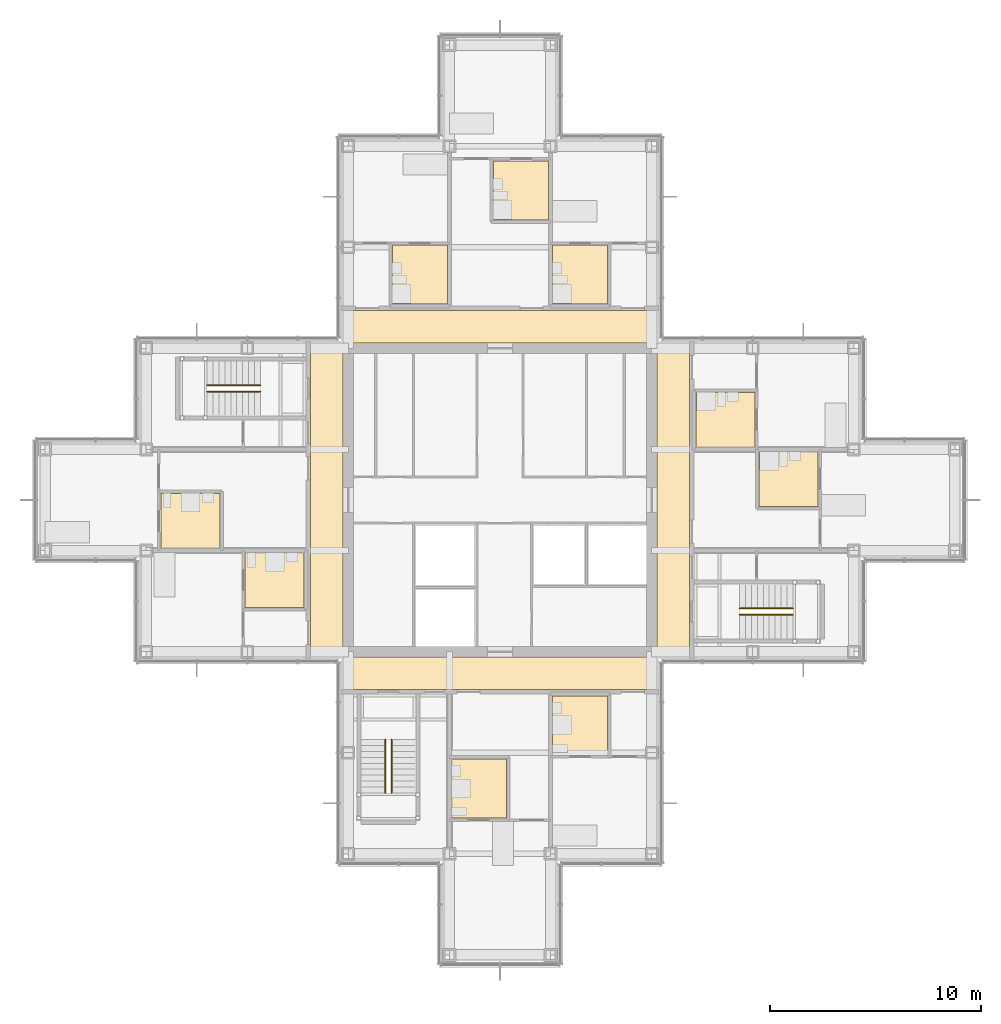
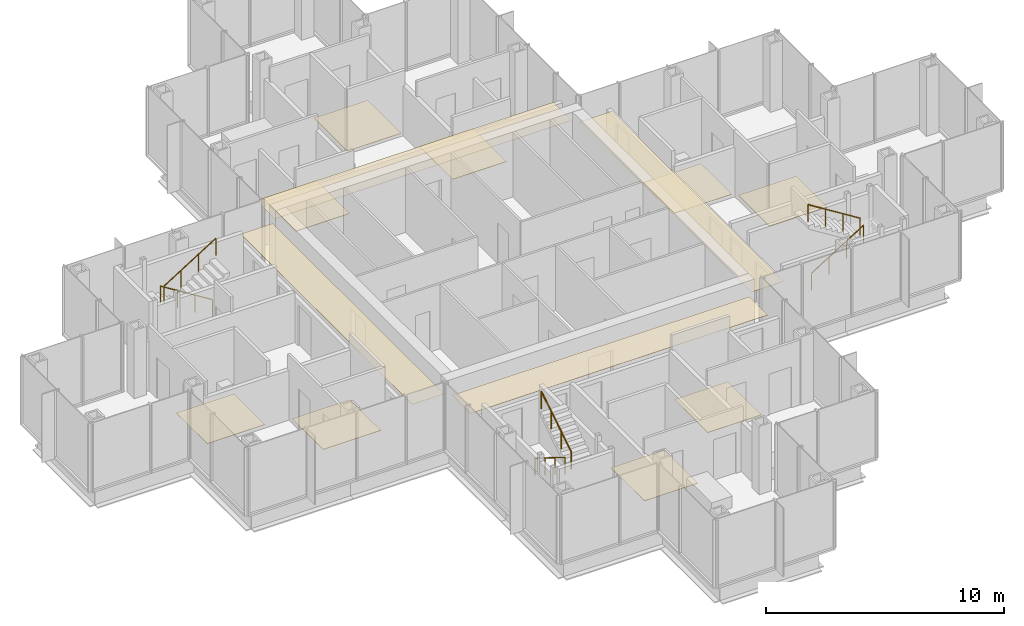
# One storey, part 15 of 17: 13 coverings, 6 railings.
"""IFC4 building model written with IfcOpenShell, lengths in metres."""

import ifcopenshell
import ifcopenshell.guid

model = None  # the IFC model being written
_history = None  # IfcOwnerHistory: only IFC2X3 demands one
_inside = {}  # id of a spatial element -> (the spatial element, [elements in it])
_under = {}  # id of a project, library or spatial element -> (it, [spatial elements below it])
_declared = {}  # id of a project -> (the project, [libraries it declares])
_typed = {}  # id of a type object -> (the type object, [elements of that type])
_made_of = {}  # id of a material, layer set ... -> (it, [elements and type objects made of it])


def new_model(schema):
    """Start an empty IFC model of exactly this schema.

    Asked for "IFC4X3", IfcOpenShell would pick the latest addendum, in which some entities
    have other attributes; the version numbers below select the first issue.
    IFC2X3 requires an IfcOwnerHistory on every rooted entity: one is made here for all.
    """
    global model, _history
    if schema == "IFC4X3":
        model = ifcopenshell.file(schema_version=(4, 3, 0, 0))
    else:
        model = ifcopenshell.file(schema=schema)
    _inside.clear()
    _under.clear()
    _declared.clear()
    _typed.clear()
    _made_of.clear()
    _history = None
    if model.schema == "IFC2X3":
        org = make("IfcOrganization", Name="unknown")
        user = make(
            "IfcPersonAndOrganization",
            ThePerson=make("IfcPerson", FamilyName="unknown"),
            TheOrganization=org,
        )
        app = make(
            "IfcApplication",
            ApplicationDeveloper=org,
            Version="unknown",
            ApplicationFullName="unknown",
            ApplicationIdentifier="unknown",
        )
        _history = make(
            "IfcOwnerHistory",
            OwningUser=user,
            OwningApplication=app,
            ChangeAction="ADDED",
            CreationDate=0,
        )
    return model


def make(cls, **values):
    """One entity of the class cls with the attributes given. An attribute that is None is left unset."""
    return model.create_entity(
        cls, **{name: value for name, value in values.items() if value is not None}
    )


def rooted(cls, **values):
    """An entity with a GlobalId (a new one), such as an element, a storey or a relation."""
    return make(cls, GlobalId=ifcopenshell.guid.new(), OwnerHistory=_history, **values)


def si_unit(unit_type, name, prefix=None):
    """IfcSIUnit, for example si_unit("LENGTHUNIT", "METRE", prefix="MILLI")."""
    return make("IfcSIUnit", UnitType=unit_type, Prefix=prefix, Name=name)


def assignment(units):
    """IfcUnitAssignment: the units of a project."""
    return None if units is None else make("IfcUnitAssignment", Units=units)


def point(xyz):
    """IfcCartesianPoint."""
    return None if xyz is None else make("IfcCartesianPoint", Coordinates=xyz)


def direction(xyz):
    """IfcDirection."""
    return None if xyz is None else make("IfcDirection", DirectionRatios=xyz)


def frame(location, z_axis=None, x_axis=None):
    """IfcAxis2Placement3D, a coordinate frame: its origin and axes. An axis left out is left unset."""
    return make(
        "IfcAxis2Placement3D",
        Location=point(location),
        Axis=direction(z_axis),
        RefDirection=direction(x_axis),
    )


def frame_2d(location, x_axis=None):
    """IfcAxis2Placement2D, a coordinate frame in the plane: its origin and x axis."""
    return make(
        "IfcAxis2Placement2D", Location=point(location), RefDirection=direction(x_axis)
    )


def origin():
    """The frame at (0, 0, 0) with its axes left unset."""
    return frame((0.0, 0.0, 0.0))


def origin_2d():
    """The frame at (0, 0) in the plane with its x axis left unset."""
    return frame_2d((0.0, 0.0))


def place(relative_to, where):
    """IfcLocalPlacement: puts the frame where relative to a parent placement (None: the world)."""
    return make(
        "IfcLocalPlacement", PlacementRelTo=relative_to, RelativePlacement=where
    )


def context(
    kind, dimensions, precision=None, world=None, true_north=None, identifier=None
):
    """IfcGeometricRepresentationContext, for example the 3D "Model" context."""
    return make(
        "IfcGeometricRepresentationContext",
        ContextIdentifier=identifier,
        ContextType=kind,
        CoordinateSpaceDimension=dimensions,
        Precision=precision,
        WorldCoordinateSystem=world,
        TrueNorth=true_north,
    )


def subcontext(parent, identifier, kind, view, scale=None):
    """IfcGeometricRepresentationSubContext, for example "Body" below "Model"."""
    return make(
        "IfcGeometricRepresentationSubContext",
        ContextIdentifier=identifier,
        ContextType=kind,
        ParentContext=parent,
        TargetScale=scale,
        TargetView=view,
    )


def project(units=None, contexts=None):
    """IfcProject with its units and contexts."""
    return rooted(
        "IfcProject",
        Name="project",
        RepresentationContexts=contexts,
        UnitsInContext=assignment(units),
    )


def spatial(cls, under=None, at=None, **own):
    """A site, building, storey or space (cls), placed at a placement, below another one or the project."""
    s = rooted(cls, ObjectPlacement=at, **own)
    if under is not None:
        _under.setdefault(under.id(), (under, []))[1].append(s)
    return s


def polyline(points):
    """IfcPolyline through the points."""
    return make("IfcPolyline", Points=[point(p) for p in points])


def profile(cls, at=None, kind="AREA", **sizes):
    """A parametric profile (cls). Its sizes go by their IFC names, for example OverallWidth=200.0."""
    return make(cls, ProfileType=kind, Position=at, **sizes)


def circle(**sizes):
    """IfcCircleProfileDef."""
    return profile("IfcCircleProfileDef", **sizes)


def outline(outer, holes=None, kind="AREA"):
    """IfcArbitraryClosedProfileDef: a profile drawn as a closed curve; with holes, ...WithVoids."""
    if holes is None:
        return make("IfcArbitraryClosedProfileDef", ProfileType=kind, OuterCurve=outer)
    return make(
        "IfcArbitraryProfileDefWithVoids",
        ProfileType=kind,
        OuterCurve=outer,
        InnerCurves=holes,
    )


def extrude(swept, where, along, depth):
    """IfcExtrudedAreaSolid: the profile swept, set in the frame where, extruded along a direction by depth."""
    return make(
        "IfcExtrudedAreaSolid",
        SweptArea=swept,
        Position=where,
        ExtrudedDirection=direction(along),
        Depth=depth,
    )


def shape(context_of_items, identifier, shape_type, items):
    """IfcShapeRepresentation: the items that make up one representation, for example the "Body"."""
    return make(
        "IfcShapeRepresentation",
        ContextOfItems=context_of_items,
        RepresentationIdentifier=identifier,
        RepresentationType=shape_type,
        Items=items,
    )


def material(Name=None, Category=None):
    """IfcMaterial."""
    return make("IfcMaterial", Name=Name, Category=Category)


def layer(
    of_material, thickness, ventilated=None, Name=None, Category=None, Priority=None
):
    """IfcMaterialLayer: one layer of a wall or slab, of a material (None: an air gap)."""
    return make(
        "IfcMaterialLayer",
        Material=of_material,
        LayerThickness=thickness,
        IsVentilated=ventilated,
        Name=Name,
        Category=Category,
        Priority=Priority,
    )


def layer_set(layers, Name=None):
    """IfcMaterialLayerSet."""
    return make("IfcMaterialLayerSet", MaterialLayers=layers, LayerSetName=Name)


def made_of(thing, what):
    """Note that an element or type object is made of a material, layer set ...; save() writes the relation."""
    if what is not None:
        _made_of.setdefault(what.id(), (what, []))[1].append(thing)
    return thing


def type_object(cls, material=None, **own):
    """A type object (cls), such as IfcWallType, which elements share."""
    return made_of(rooted(cls, **own), material)


def element(
    cls,
    number,
    at=None,
    inside=None,
    cuts=None,
    type_object=None,
    material=None,
    context=None,
    identifier="Body",
    shape_type=None,
    held_by="IfcProductDefinitionShape",
    body=None,
    shapes=None,
    **own,
):
    """One element of the class cls, such as IfcWall. Its Tag is "e" and its number.

    at: its placement. inside: the storey or other place that contains it. cuts: it is an
    opening in that element (IfcRelVoidsElement). A single representation is given by context,
    identifier, shape_type and body (its items); several are given by shapes. held_by: the class
    of the entity that holds the representations. save() writes the other relations.
    """
    e = rooted(cls, Tag="e%d" % number, ObjectPlacement=at, **own)
    if body is not None:
        shapes = [shape(context, identifier, shape_type, body)]
    if shapes is not None:
        e.Representation = make(held_by, Representations=shapes)
    if inside is not None:
        _inside.setdefault(inside.id(), (inside, []))[1].append(e)
    if cuts is not None:
        rooted(
            "IfcRelVoidsElement", RelatingBuildingElement=cuts, RelatedOpeningElement=e
        )
    if type_object is not None:
        _typed.setdefault(type_object.id(), (type_object, []))[1].append(e)
    return made_of(e, material)


def aggregate(whole, parts):
    """IfcRelAggregates: a whole, such as a stair, and the parts it consists of."""
    return rooted("IfcRelAggregates", RelatingObject=whole, RelatedObjects=parts)


def save(model, path):
    """Write the relations noted so far, then the file.

    IfcRelAggregates (storeys below a building ...), IfcRelContainedInSpatialStructure (elements
    in a storey), IfcRelDefinesByType, IfcRelAssociatesMaterial and IfcRelDeclares: one each for
    every whole, place, type object, material and project.
    """
    for whole, parts in _under.values():
        aggregate(whole, parts)
    for where, things in _inside.values():
        rooted(
            "IfcRelContainedInSpatialStructure",
            RelatedElements=things,
            RelatingStructure=where,
        )
    for kind, things in _typed.values():
        rooted("IfcRelDefinesByType", RelatedObjects=things, RelatingType=kind)
    for what, things in _made_of.values():
        rooted("IfcRelAssociatesMaterial", RelatedObjects=things, RelatingMaterial=what)
    for by, libraries in _declared.values():
        rooted("IfcRelDeclares", RelatingContext=by, RelatedDefinitions=libraries)
    model.write(path)


model = new_model("IFC4")

# Units and contexts
model_context = context("Model", 3, precision=1e-05, world=origin(), true_north=direction((0.0, 1.0)))
body_context = subcontext(model_context, "Body", "Model", "MODEL_VIEW")
ifc_project = project(units=[si_unit("LENGTHUNIT", "METRE"), si_unit("AREAUNIT", "SQUARE_METRE"), si_unit("VOLUMEUNIT", "CUBIC_METRE"), si_unit("PLANEANGLEUNIT", "RADIAN"), si_unit("MASSUNIT", "GRAM", prefix="KILO")], contexts=[model_context])

# Site, building, storey
site_placement = place(None, origin())
site = spatial("IfcSite", under=ifc_project, at=site_placement, CompositionType="ELEMENT")
building_placement = place(site_placement, origin())
building = spatial("IfcBuilding", under=site, at=building_placement, Name="Kvirike Care Tower", CompositionType="ELEMENT")
storey_placement = place(building_placement, frame((0.0, 0.0, 176.0)))
storey = spatial("IfcBuildingStorey", under=building, at=storey_placement, Name="L48", CompositionType="ELEMENT", Elevation=176.0)

# Coverings
ifc_material_1 = material(Name="Perforated metal ceiling tile", Category="aluminium")
ifc_layer_1 = layer(ifc_material_1, 0.014892578125)
ifc_layer_set_1 = layer_set([ifc_layer_1], Name="CORRIDOR CEILING 15")
covering_type_1 = type_object("IfcCoveringType", Name="CORRIDOR CEILING 15", PredefinedType="CEILING", material=ifc_layer_set_1)
covering_1_placement = place(storey_placement, frame((0.0, 0.0, 2.5)))
element("IfcCovering", 1, at=covering_1_placement, inside=storey, type_object=covering_type_1, Name="Corridor ceiling L48", PredefinedType="CEILING", context=body_context, shape_type="SweptSolid", body=[
    extrude(outline(polyline([(12.60009765625, 43.199951171875), (14.14990234375, 43.199951171875), (14.14990234375, 28.800048828125), (12.60009765625, 28.800048828125), (12.60009765625, 43.199951171875)])), origin(), (0.0, 0.0, 1.0), 0.014892578125),
])
covering_2_placement = place(storey_placement, frame((0.0, 0.0, 2.5)))
element("IfcCovering", 2, at=covering_2_placement, inside=storey, type_object=covering_type_1, Name="Corridor ceiling L48", PredefinedType="CEILING", context=body_context, shape_type="SweptSolid", body=[
    extrude(outline(polyline([(14.39990234375, 27.0), (14.39990234375, 28.550048828125), (28.800048828125, 28.550048828125), (28.800048828125, 27.0), (14.39990234375, 27.0)])), origin(), (0.0, 0.0, 1.0), 0.014892578125),
])
covering_3_placement = place(storey_placement, frame((0.0, 0.0, 2.5)))
element("IfcCovering", 3, at=covering_3_placement, inside=storey, type_object=covering_type_1, Name="Corridor ceiling L48", PredefinedType="CEILING", context=body_context, shape_type="SweptSolid", body=[
    extrude(outline(polyline([(28.800048828125, 45.0), (28.800048828125, 43.449951171875), (14.39990234375, 43.449951171875), (14.39990234375, 45.0), (28.800048828125, 45.0)])), origin(), (0.0, 0.0, 1.0), 0.014892578125),
])
covering_4_placement = place(storey_placement, frame((0.0, 0.0, 2.5)))
element("IfcCovering", 4, at=covering_4_placement, inside=storey, type_object=covering_type_1, Name="Corridor ceiling L48", PredefinedType="CEILING", context=body_context, shape_type="SweptSolid", body=[
    extrude(outline(polyline([(30.60009765625, 28.800048828125), (29.050048828125, 28.800048828125), (29.050048828125, 43.199951171875), (30.60009765625, 43.199951171875), (30.60009765625, 28.800048828125)])), origin(), (0.0, 0.0, 1.0), 0.014892578125),
])

# Railings
ifc_material_2 = material(Name="Stainless steel handrail", Category="steel")
railing_type = type_object("IfcRailingType", Name="STAIR HANDRAIL 900", PredefinedType="HANDRAIL", material=ifc_material_2)
railing_1_placement = place(storey_placement, frame((10.219970703125, 41.449951171875, 0.175048828125)))
element("IfcRailing", 5, at=railing_1_placement, inside=storey, type_object=railing_type, Name="Stair 1 handrail L48 flight 1", PredefinedType="HANDRAIL", context=body_context, shape_type="SweptSolid", body=[
    extrude(circle(Radius=0.02490234375, at=origin_2d()), frame((0.0, 0.0, 0.875), z_axis=(-0.848007534815, 0.0, 0.529984170421), x_axis=(0.0, -1.0, 0.0)), (0.0, 0.0, 1.0), 2.9716796875),
    extrude(circle(Radius=0.02001953125, at=origin_2d()), origin(), (0.0, 0.0, 1.0), 0.849853515625),
    extrude(circle(Radius=0.02001953125, at=origin_2d()), frame((-0.840087890625, 0.0, 0.52490234375)), (0.0, 0.0, 1.0), 0.849853515625),
    extrude(circle(Radius=0.02001953125, at=origin_2d()), frame((-1.679931640625, 0.0, 1.050048828125)), (0.0, 0.0, 1.0), 0.849853515625),
    extrude(circle(Radius=0.02001953125, at=origin_2d()), frame((-2.52001953125, 0.0, 1.574951171875)), (0.0, 0.0, 1.0), 0.849853515625),
])
for number, where, name in (
    (6, (7.699951171875, 41.14990234375, 1.925048828125), "Stair 1 handrail L48 flight 2"),
    (7, (32.97998046875, 30.550048828125, 0.175048828125), "Stair 2 handrail L48 flight 1"),
):
    element("IfcRailing", number, at=place(storey_placement, frame(where)), inside=storey, type_object=railing_type, Name=name, PredefinedType="HANDRAIL", context=body_context, shape_type="SweptSolid", body=[
        extrude(circle(Radius=0.02490234375, at=origin_2d()), frame((0.0, 0.0, 0.875), z_axis=(0.848007534815, 0.0, 0.529984170421), x_axis=(0.0, 1.0, 0.0)), (0.0, 0.0, 1.0), 2.9716796875),
        extrude(circle(Radius=0.02001953125, at=origin_2d()), origin(), (0.0, 0.0, 1.0), 0.849853515625),
        extrude(circle(Radius=0.02001953125, at=origin_2d()), frame((0.840087890625, 0.0, 0.52490234375)), (0.0, 0.0, 1.0), 0.849853515625),
        extrude(circle(Radius=0.02001953125, at=origin_2d()), frame((1.679931640625, 0.0, 1.050048828125)), (0.0, 0.0, 1.0), 0.849853515625),
        extrude(circle(Radius=0.02001953125, at=origin_2d()), frame((2.52001953125, 0.0, 1.574951171875)), (0.0, 0.0, 1.0), 0.849853515625),
    ])
railing_2_placement = place(storey_placement, frame((35.5, 30.85009765625, 1.925048828125)))
element("IfcRailing", 8, at=railing_2_placement, inside=storey, type_object=railing_type, Name="Stair 2 handrail L48 flight 2", PredefinedType="HANDRAIL", context=body_context, shape_type="SweptSolid", body=[
    extrude(circle(Radius=0.02490234375, at=origin_2d()), frame((0.0, 0.0, 0.875), z_axis=(-0.848007534815, 0.0, 0.529984170421), x_axis=(0.0, -1.0, 0.0)), (0.0, 0.0, 1.0), 2.9716796875),
    extrude(circle(Radius=0.02001953125, at=origin_2d()), origin(), (0.0, 0.0, 1.0), 0.849853515625),
    extrude(circle(Radius=0.02001953125, at=origin_2d()), frame((-0.840087890625, 0.0, 0.52490234375)), (0.0, 0.0, 1.0), 0.849853515625),
    extrude(circle(Radius=0.02001953125, at=origin_2d()), frame((-1.679931640625, 0.0, 1.050048828125)), (0.0, 0.0, 1.0), 0.849853515625),
    extrude(circle(Radius=0.02001953125, at=origin_2d()), frame((-2.52001953125, 0.0, 1.574951171875)), (0.0, 0.0, 1.0), 0.849853515625),
])
railing_3_placement = place(storey_placement, frame((16.14990234375, 24.6201171875, 0.175048828125)))
element("IfcRailing", 9, at=railing_3_placement, inside=storey, type_object=railing_type, Name="Stair 5 handrail L48 flight 1", PredefinedType="HANDRAIL", context=body_context, shape_type="SweptSolid", body=[
    extrude(circle(Radius=0.02490234375, at=origin_2d()), frame((0.0, 0.0, 0.875), z_axis=(0.0, -0.848007534815, 0.529984170421), x_axis=(1.0, 0.0, 0.0)), (0.0, 0.0, 1.0), 2.9716796875),
    extrude(circle(Radius=0.02001953125, at=origin_2d()), origin(), (0.0, 0.0, 1.0), 0.849853515625),
    extrude(circle(Radius=0.02001953125, at=origin_2d()), frame((0.0, -0.840087890625, 0.52490234375)), (0.0, 0.0, 1.0), 0.849853515625),
    extrude(circle(Radius=0.02001953125, at=origin_2d()), frame((0.0, -1.679931640625, 1.050048828125)), (0.0, 0.0, 1.0), 0.849853515625),
    extrude(circle(Radius=0.02001953125, at=origin_2d()), frame((0.0, -2.52001953125, 1.574951171875)), (0.0, 0.0, 1.0), 0.849853515625),
])
railing_4_placement = place(storey_placement, frame((16.449951171875, 22.10009765625, 1.925048828125)))
element("IfcRailing", 10, at=railing_4_placement, inside=storey, type_object=railing_type, Name="Stair 5 handrail L48 flight 2", PredefinedType="HANDRAIL", context=body_context, shape_type="SweptSolid", body=[
    extrude(circle(Radius=0.02490234375, at=origin_2d()), frame((0.0, 0.0, 0.875), z_axis=(0.0, 0.848007534815, 0.529984170421), x_axis=(-1.0, 0.0, 0.0)), (0.0, 0.0, 1.0), 2.9716796875),
    extrude(circle(Radius=0.02001953125, at=origin_2d()), origin(), (0.0, 0.0, 1.0), 0.849853515625),
    extrude(circle(Radius=0.02001953125, at=origin_2d()), frame((0.0, 0.840087890625, 0.52490234375)), (0.0, 0.0, 1.0), 0.849853515625),
    extrude(circle(Radius=0.02001953125, at=origin_2d()), frame((0.0, 1.679931640625, 1.050048828125)), (0.0, 0.0, 1.0), 0.849853515625),
    extrude(circle(Radius=0.02001953125, at=origin_2d()), frame((0.0, 2.52001953125, 1.574951171875)), (0.0, 0.0, 1.0), 0.849853515625),
])

# Coverings
ifc_material_3 = material(Name="Slip-resistant vinyl safety flooring on screed")
ifc_layer_2 = layer(ifc_material_3, 0.02001953125)
ifc_layer_set_2 = layer_set([ifc_layer_2], Name="WET ROOM FLOOR 20")
covering_type_2 = type_object("IfcCoveringType", Name="WET ROOM FLOOR 20", PredefinedType="FLOORING", material=ifc_layer_set_2)
covering_5_placement = place(storey_placement, origin())
element("IfcCovering", 11, at=covering_5_placement, inside=storey, type_object=covering_type_2, Name="En-suite floor L48-006", PredefinedType="FLOORING", context=body_context, shape_type="SweptSolid", body=[
    extrude(outline(polyline([(5.5, 36.300048828125), (8.300048828125, 36.300048828125), (8.300048828125, 33.699951171875), (5.5, 33.699951171875), (5.5, 36.300048828125)])), origin(), (0.0, 0.0, 1.0), 0.02001953125),
])
covering_6_placement = place(storey_placement, origin())
element("IfcCovering", 12, at=covering_6_placement, inside=storey, type_object=covering_type_2, Name="En-suite floor L48-009", PredefinedType="FLOORING", context=body_context, shape_type="SweptSolid", body=[
    extrude(outline(polyline([(9.5, 33.5), (12.300048828125, 33.5), (12.300048828125, 30.89990234375), (9.5, 30.89990234375), (9.5, 33.5)])), origin(), (0.0, 0.0, 1.0), 0.02001953125),
])
covering_7_placement = place(storey_placement, origin())
element("IfcCovering", 13, at=covering_7_placement, inside=storey, type_object=covering_type_2, Name="En-suite floor L48-015", PredefinedType="FLOORING", context=body_context, shape_type="SweptSolid", body=[
    extrude(outline(polyline([(19.300048828125, 20.89990234375), (19.300048828125, 23.699951171875), (21.89990234375, 23.699951171875), (21.89990234375, 20.89990234375), (19.300048828125, 20.89990234375)])), origin(), (0.0, 0.0, 1.0), 0.02001953125),
])
covering_8_placement = place(storey_placement, origin())
element("IfcCovering", 14, at=covering_8_placement, inside=storey, type_object=covering_type_2, Name="En-suite floor L48-018", PredefinedType="FLOORING", context=body_context, shape_type="SweptSolid", body=[
    extrude(outline(polyline([(24.10009765625, 23.89990234375), (24.10009765625, 26.699951171875), (26.699951171875, 26.699951171875), (26.699951171875, 23.89990234375), (24.10009765625, 23.89990234375)])), origin(), (0.0, 0.0, 1.0), 0.02001953125),
])
covering_9_placement = place(storey_placement, origin())
element("IfcCovering", 15, at=covering_9_placement, inside=storey, type_object=covering_type_2, Name="En-suite floor L48-022", PredefinedType="FLOORING", context=body_context, shape_type="SweptSolid", body=[
    extrude(outline(polyline([(26.699951171875, 48.10009765625), (26.699951171875, 45.300048828125), (24.10009765625, 45.300048828125), (24.10009765625, 48.10009765625), (26.699951171875, 48.10009765625)])), origin(), (0.0, 0.0, 1.0), 0.02001953125),
])
covering_10_placement = place(storey_placement, origin())
element("IfcCovering", 16, at=covering_10_placement, inside=storey, type_object=covering_type_2, Name="En-suite floor L48-025", PredefinedType="FLOORING", context=body_context, shape_type="SweptSolid", body=[
    extrude(outline(polyline([(23.89990234375, 52.10009765625), (23.89990234375, 49.300048828125), (21.300048828125, 49.300048828125), (21.300048828125, 52.10009765625), (23.89990234375, 52.10009765625)])), origin(), (0.0, 0.0, 1.0), 0.02001953125),
])
covering_11_placement = place(storey_placement, origin())
element("IfcCovering", 17, at=covering_11_placement, inside=storey, type_object=covering_type_2, Name="En-suite floor L48-028", PredefinedType="FLOORING", context=body_context, shape_type="SweptSolid", body=[
    extrude(outline(polyline([(19.10009765625, 48.10009765625), (19.10009765625, 45.300048828125), (16.5, 45.300048828125), (16.5, 48.10009765625), (19.10009765625, 48.10009765625)])), origin(), (0.0, 0.0, 1.0), 0.02001953125),
])
covering_12_placement = place(storey_placement, origin())
element("IfcCovering", 18, at=covering_12_placement, inside=storey, type_object=covering_type_2, Name="En-suite floor L48-035", PredefinedType="FLOORING", context=body_context, shape_type="SweptSolid", body=[
    extrude(outline(polyline([(36.699951171875, 35.699951171875), (33.89990234375, 35.699951171875), (33.89990234375, 38.300048828125), (36.699951171875, 38.300048828125), (36.699951171875, 35.699951171875)])), origin(), (0.0, 0.0, 1.0), 0.02001953125),
])
covering_13_placement = place(storey_placement, origin())
element("IfcCovering", 19, at=covering_13_placement, inside=storey, type_object=covering_type_2, Name="En-suite floor L48-038", PredefinedType="FLOORING", context=body_context, shape_type="SweptSolid", body=[
    extrude(outline(polyline([(33.699951171875, 38.5), (30.89990234375, 38.5), (30.89990234375, 41.10009765625), (33.699951171875, 41.10009765625), (33.699951171875, 38.5)])), origin(), (0.0, 0.0, 1.0), 0.02001953125),
])

save(model, "model.ifc")
